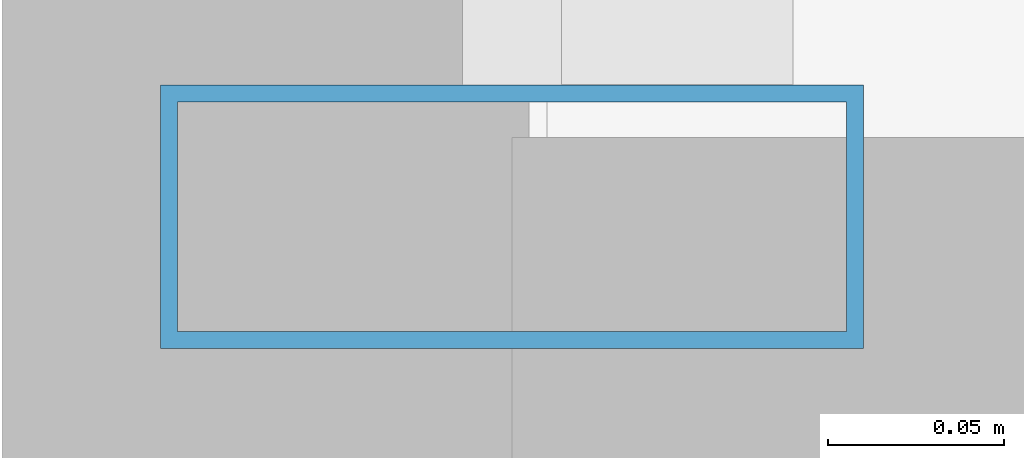
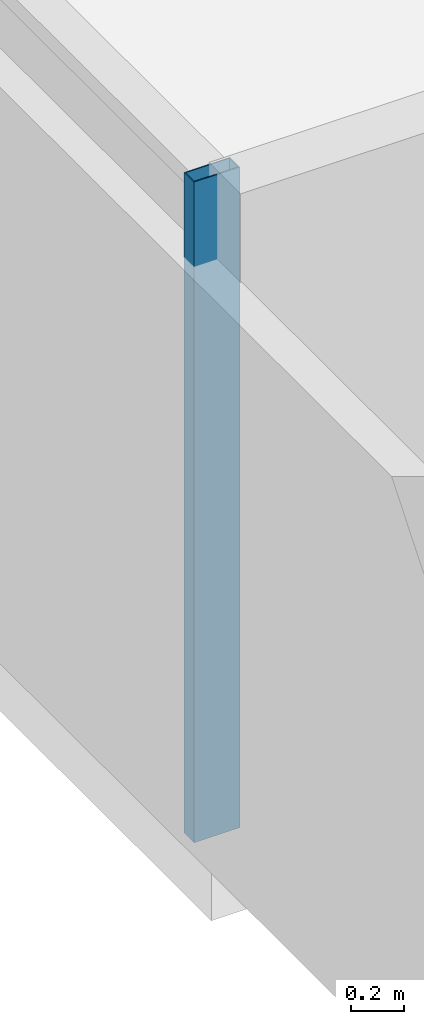
# One storey, part 2 of 25: 1 member, 1 element without a shape of its own.
"""IFC4 building model written with IfcOpenShell, lengths in metres."""

import ifcopenshell
import ifcopenshell.guid

model = None  # the IFC model being written
_history = None  # IfcOwnerHistory: only IFC2X3 demands one
_inside = {}  # id of a spatial element -> (the spatial element, [elements in it])
_under = {}  # id of a project, library or spatial element -> (it, [spatial elements below it])
_declared = {}  # id of a project -> (the project, [libraries it declares])
_typed = {}  # id of a type object -> (the type object, [elements of that type])
_made_of = {}  # id of a material, layer set ... -> (it, [elements and type objects made of it])


def new_model(schema):
    """Start an empty IFC model of exactly this schema.

    Asked for "IFC4X3", IfcOpenShell would pick the latest addendum, in which some entities
    have other attributes; the version numbers below select the first issue.
    IFC2X3 requires an IfcOwnerHistory on every rooted entity: one is made here for all.
    """
    global model, _history
    if schema == "IFC4X3":
        model = ifcopenshell.file(schema_version=(4, 3, 0, 0))
    else:
        model = ifcopenshell.file(schema=schema)
    _inside.clear()
    _under.clear()
    _declared.clear()
    _typed.clear()
    _made_of.clear()
    _history = None
    if model.schema == "IFC2X3":
        org = make("IfcOrganization", Name="unknown")
        user = make(
            "IfcPersonAndOrganization",
            ThePerson=make("IfcPerson", FamilyName="unknown"),
            TheOrganization=org,
        )
        app = make(
            "IfcApplication",
            ApplicationDeveloper=org,
            Version="unknown",
            ApplicationFullName="unknown",
            ApplicationIdentifier="unknown",
        )
        _history = make(
            "IfcOwnerHistory",
            OwningUser=user,
            OwningApplication=app,
            ChangeAction="ADDED",
            CreationDate=0,
        )
    return model


def make(cls, **values):
    """One entity of the class cls with the attributes given. An attribute that is None is left unset."""
    return model.create_entity(
        cls, **{name: value for name, value in values.items() if value is not None}
    )


def rooted(cls, **values):
    """An entity with a GlobalId (a new one), such as an element, a storey or a relation."""
    return make(cls, GlobalId=ifcopenshell.guid.new(), OwnerHistory=_history, **values)


def si_unit(unit_type, name, prefix=None):
    """IfcSIUnit, for example si_unit("LENGTHUNIT", "METRE", prefix="MILLI")."""
    return make("IfcSIUnit", UnitType=unit_type, Prefix=prefix, Name=name)


def assignment(units):
    """IfcUnitAssignment: the units of a project."""
    return None if units is None else make("IfcUnitAssignment", Units=units)


def point(xyz):
    """IfcCartesianPoint."""
    return None if xyz is None else make("IfcCartesianPoint", Coordinates=xyz)


def direction(xyz):
    """IfcDirection."""
    return None if xyz is None else make("IfcDirection", DirectionRatios=xyz)


def frame(location, z_axis=None, x_axis=None):
    """IfcAxis2Placement3D, a coordinate frame: its origin and axes. An axis left out is left unset."""
    return make(
        "IfcAxis2Placement3D",
        Location=point(location),
        Axis=direction(z_axis),
        RefDirection=direction(x_axis),
    )


def frame_2d(location, x_axis=None):
    """IfcAxis2Placement2D, a coordinate frame in the plane: its origin and x axis."""
    return make(
        "IfcAxis2Placement2D", Location=point(location), RefDirection=direction(x_axis)
    )


def origin():
    """The frame at (0, 0, 0) with its axes left unset."""
    return frame((0.0, 0.0, 0.0))


def origin_2d():
    """The frame at (0, 0) in the plane with its x axis left unset."""
    return frame_2d((0.0, 0.0))


def place(relative_to, where):
    """IfcLocalPlacement: puts the frame where relative to a parent placement (None: the world)."""
    return make(
        "IfcLocalPlacement", PlacementRelTo=relative_to, RelativePlacement=where
    )


def context(
    kind, dimensions, precision=None, world=None, true_north=None, identifier=None
):
    """IfcGeometricRepresentationContext, for example the 3D "Model" context."""
    return make(
        "IfcGeometricRepresentationContext",
        ContextIdentifier=identifier,
        ContextType=kind,
        CoordinateSpaceDimension=dimensions,
        Precision=precision,
        WorldCoordinateSystem=world,
        TrueNorth=true_north,
    )


def subcontext(parent, identifier, kind, view, scale=None):
    """IfcGeometricRepresentationSubContext, for example "Body" below "Model"."""
    return make(
        "IfcGeometricRepresentationSubContext",
        ContextIdentifier=identifier,
        ContextType=kind,
        ParentContext=parent,
        TargetScale=scale,
        TargetView=view,
    )


def project(units=None, contexts=None):
    """IfcProject with its units and contexts."""
    return rooted(
        "IfcProject",
        Name="project",
        RepresentationContexts=contexts,
        UnitsInContext=assignment(units),
    )


def spatial(cls, under=None, at=None, **own):
    """A site, building, storey or space (cls), placed at a placement, below another one or the project."""
    s = rooted(cls, ObjectPlacement=at, **own)
    if under is not None:
        _under.setdefault(under.id(), (under, []))[1].append(s)
    return s


def profile(cls, at=None, kind="AREA", **sizes):
    """A parametric profile (cls). Its sizes go by their IFC names, for example OverallWidth=200.0."""
    return make(cls, ProfileType=kind, Position=at, **sizes)


def hollow_rectangle(**sizes):
    """IfcRectangleHollowProfileDef."""
    return profile("IfcRectangleHollowProfileDef", **sizes)


def extrude(swept, where, along, depth):
    """IfcExtrudedAreaSolid: the profile swept, set in the frame where, extruded along a direction by depth."""
    return make(
        "IfcExtrudedAreaSolid",
        SweptArea=swept,
        Position=where,
        ExtrudedDirection=direction(along),
        Depth=depth,
    )


def shape(context_of_items, identifier, shape_type, items):
    """IfcShapeRepresentation: the items that make up one representation, for example the "Body"."""
    return make(
        "IfcShapeRepresentation",
        ContextOfItems=context_of_items,
        RepresentationIdentifier=identifier,
        RepresentationType=shape_type,
        Items=items,
    )


def source(mapping_origin, context_of_items, identifier, shape_type, items):
    """IfcRepresentationMap: a shape defined once, which mapped items show again and again."""
    return make(
        "IfcRepresentationMap",
        MappingOrigin=mapping_origin,
        MappedRepresentation=shape(context_of_items, identifier, shape_type, items),
    )


def transform(
    local_origin,
    x_axis=None,
    y_axis=None,
    z_axis=None,
    scale=None,
    scale2=None,
    scale3=None,
    uniform=True,
):
    """IfcCartesianTransformationOperator3D, or its non-uniform kind. x_axis, y_axis, z_axis: its Axis1, 2, 3."""
    if uniform:
        return make(
            "IfcCartesianTransformationOperator3D",
            Axis1=direction(x_axis),
            Axis2=direction(y_axis),
            LocalOrigin=point(local_origin),
            Scale=scale,
            Axis3=direction(z_axis),
        )
    return make(
        "IfcCartesianTransformationOperator3DnonUniform",
        Axis1=direction(x_axis),
        Axis2=direction(y_axis),
        LocalOrigin=point(local_origin),
        Scale=scale,
        Axis3=direction(z_axis),
        Scale2=scale2,
        Scale3=scale3,
    )


def mapped(mapping_source, mapping_target):
    """IfcMappedItem: shows the shape of a source again, moved by a transform."""
    return make(
        "IfcMappedItem", MappingSource=mapping_source, MappingTarget=mapping_target
    )


def material(Name=None, Category=None):
    """IfcMaterial."""
    return make("IfcMaterial", Name=Name, Category=Category)


def layer(
    of_material, thickness, ventilated=None, Name=None, Category=None, Priority=None
):
    """IfcMaterialLayer: one layer of a wall or slab, of a material (None: an air gap)."""
    return make(
        "IfcMaterialLayer",
        Material=of_material,
        LayerThickness=thickness,
        IsVentilated=ventilated,
        Name=Name,
        Category=Category,
        Priority=Priority,
    )


def layer_set(layers, Name=None):
    """IfcMaterialLayerSet."""
    return make("IfcMaterialLayerSet", MaterialLayers=layers, LayerSetName=Name)


def material_profile(
    of_material, cross_section, Name=None, Category=None, Priority=None
):
    """IfcMaterialProfile: a cross section and its material."""
    return make(
        "IfcMaterialProfile",
        Name=Name,
        Material=of_material,
        Profile=cross_section,
        Priority=Priority,
        Category=Category,
    )


def profile_set(profiles, Name=None, composite=None):
    """IfcMaterialProfileSet."""
    return make(
        "IfcMaterialProfileSet",
        Name=Name,
        MaterialProfiles=profiles,
        CompositeProfile=composite,
    )


def made_of(thing, what):
    """Note that an element or type object is made of a material, layer set ...; save() writes the relation."""
    if what is not None:
        _made_of.setdefault(what.id(), (what, []))[1].append(thing)
    return thing


def type_object(cls, material=None, **own):
    """A type object (cls), such as IfcWallType, which elements share."""
    return made_of(rooted(cls, **own), material)


def element(
    cls,
    number,
    at=None,
    inside=None,
    cuts=None,
    type_object=None,
    material=None,
    context=None,
    identifier="Body",
    shape_type=None,
    held_by="IfcProductDefinitionShape",
    body=None,
    shapes=None,
    **own,
):
    """One element of the class cls, such as IfcWall. Its Tag is "e" and its number.

    at: its placement. inside: the storey or other place that contains it. cuts: it is an
    opening in that element (IfcRelVoidsElement). A single representation is given by context,
    identifier, shape_type and body (its items); several are given by shapes. held_by: the class
    of the entity that holds the representations. save() writes the other relations.
    """
    e = rooted(cls, Tag="e%d" % number, ObjectPlacement=at, **own)
    if body is not None:
        shapes = [shape(context, identifier, shape_type, body)]
    if shapes is not None:
        e.Representation = make(held_by, Representations=shapes)
    if inside is not None:
        _inside.setdefault(inside.id(), (inside, []))[1].append(e)
    if cuts is not None:
        rooted(
            "IfcRelVoidsElement", RelatingBuildingElement=cuts, RelatedOpeningElement=e
        )
    if type_object is not None:
        _typed.setdefault(type_object.id(), (type_object, []))[1].append(e)
    return made_of(e, material)


def aggregate(whole, parts):
    """IfcRelAggregates: a whole, such as a stair, and the parts it consists of."""
    return rooted("IfcRelAggregates", RelatingObject=whole, RelatedObjects=parts)


def save(model, path):
    """Write the relations noted so far, then the file.

    IfcRelAggregates (storeys below a building ...), IfcRelContainedInSpatialStructure (elements
    in a storey), IfcRelDefinesByType, IfcRelAssociatesMaterial and IfcRelDeclares: one each for
    every whole, place, type object, material and project.
    """
    for whole, parts in _under.values():
        aggregate(whole, parts)
    for where, things in _inside.values():
        rooted(
            "IfcRelContainedInSpatialStructure",
            RelatedElements=things,
            RelatingStructure=where,
        )
    for kind, things in _typed.values():
        rooted("IfcRelDefinesByType", RelatedObjects=things, RelatingType=kind)
    for what, things in _made_of.values():
        rooted("IfcRelAssociatesMaterial", RelatedObjects=things, RelatingMaterial=what)
    for by, libraries in _declared.values():
        rooted("IfcRelDeclares", RelatingContext=by, RelatedDefinitions=libraries)
    model.write(path)


model = new_model("IFC4")

# Units and contexts
model_context = context("Model", 3, precision=1e-05, world=origin(), true_north=direction((0.0, 1.0)))
body_context = subcontext(model_context, "Body", "Model", "MODEL_VIEW")
ifc_project = project(units=[si_unit("LENGTHUNIT", "METRE"), si_unit("AREAUNIT", "SQUARE_METRE"), si_unit("VOLUMEUNIT", "CUBIC_METRE"), si_unit("PLANEANGLEUNIT", "RADIAN"), si_unit("MASSUNIT", "GRAM", prefix="KILO")], contexts=[model_context])

# Site, building, storey
site_placement = place(None, origin())
site = spatial("IfcSite", under=ifc_project, at=site_placement, CompositionType="ELEMENT")
building_placement = place(site_placement, origin())
building = spatial("IfcBuilding", under=site, at=building_placement, Name="Zarnakvel Exchange Tower", CompositionType="ELEMENT")
storey_placement = place(building_placement, frame((0.0, 0.0, 156.10009765625)))
storey = spatial("IfcBuildingStorey", under=building, at=storey_placement, Name="L43", CompositionType="ELEMENT", Elevation=156.10009765625)

# Curtain wall, member
ifc_material = material(Name="Architectural Bronze Anodised Aluminium", Category="aluminium")
ifc_layer = layer(ifc_material, 0.199951171875)
ifc_layer_set = layer_set([ifc_layer], Name="Architectural Bronze Anodised Aluminium")
curtain_wall_type = type_object("IfcCurtainWallType", Name="CW-04", PredefinedType="NOTDEFINED", material=ifc_layer_set)
curtain_wall_placement = place(storey_placement, origin())
curtain_wall = element("IfcCurtainWall", 1, at=curtain_wall_placement, inside=storey, type_object=curtain_wall_type, Name="L43 Curtain Wall CW-L43-W1 (CW-04)", PredefinedType="NOTDEFINED")
ifc_material_profile = material_profile(ifc_material, hollow_rectangle(XDim=0.199951171875, YDim=0.074951171875, WallThickness=0.0048828125, at=origin_2d()))
ifc_profile_set = profile_set([ifc_material_profile], Name="Architectural Bronze Anodised Aluminium")
member_type = type_object("IfcMemberType", Name="CWM-04", PredefinedType="MULLION", material=ifc_profile_set)
shared_shape = source(origin(), body_context, "Body", "SweptSolid", [
    extrude(hollow_rectangle(XDim=0.199951171875, YDim=0.074951171875, WallThickness=0.0048828125, at=origin_2d()), origin(), (0.0, 0.0, 1.0), 3.054931640625),
])
member_placement = place(storey_placement, frame((-26.4599609375, -14.16259765625, 0.0), z_axis=(0.0, 0.0, 1.0), x_axis=(-1.0, 0.0, 0.0)))
member = element("IfcMember", 2, at=member_placement, type_object=member_type, Name="CW-04 mullion 1", PredefinedType="MULLION", context=body_context, shape_type="MappedRepresentation", body=[
    mapped(shared_shape, transform((0.0, 0.0, 0.0), x_axis=(1.0, 0.0, 0.0), y_axis=(0.0, 1.0, 0.0), z_axis=(0.0, 0.0, 1.0), scale=1.0)),
])
aggregate(curtain_wall, [member])

save(model, "model.ifc")
